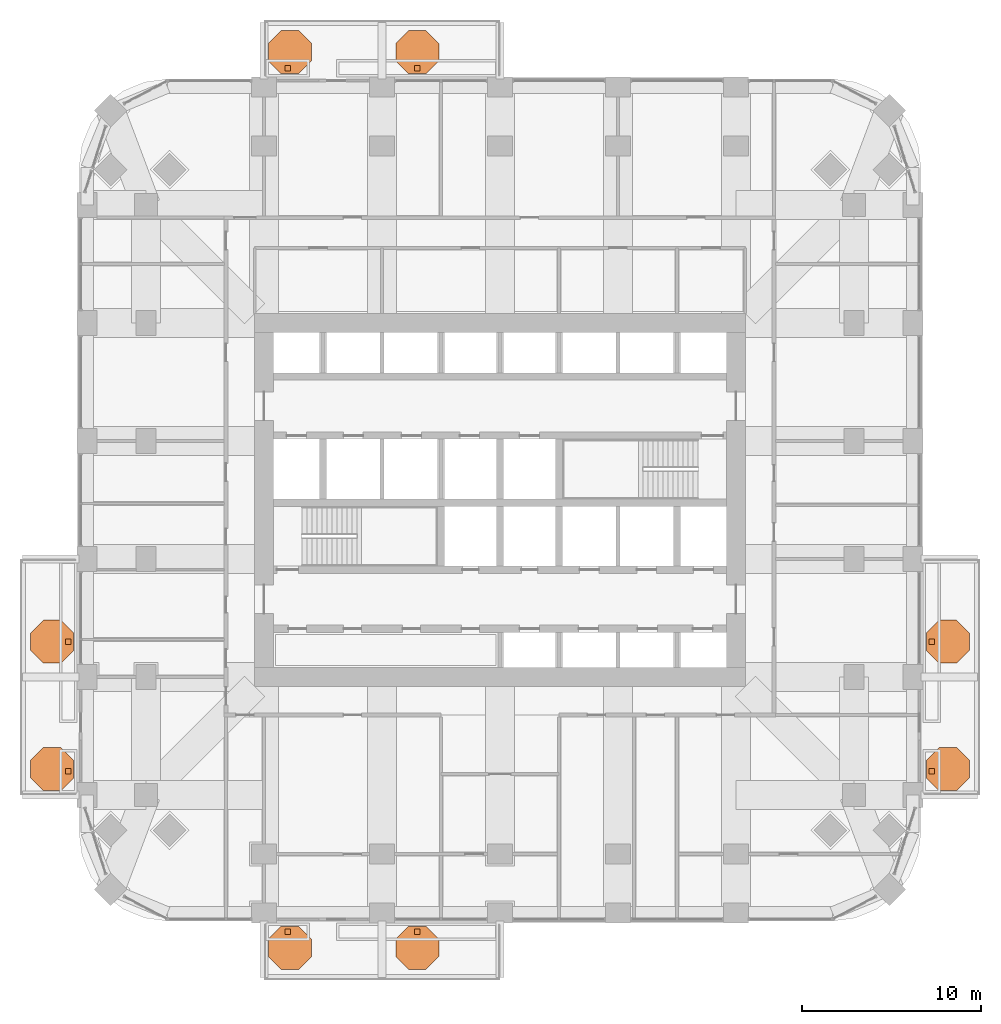
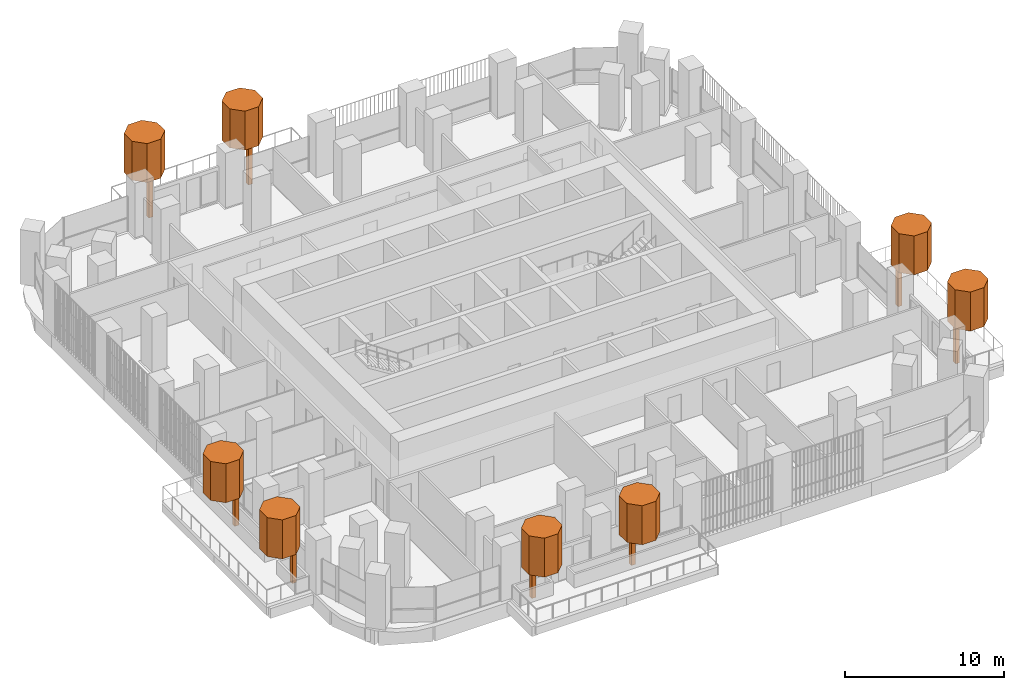
# One storey, part 21 of 21: 16 geographic elements.
"""IFC4 building model written with IfcOpenShell, lengths in metres."""

from ifc_helpers import new_model, si_unit, direction, frame, origin, origin_2d, place, context, subcontext, project, spatial, polyline, rectangle, outline, extrude, material, type_object, element, save


model = new_model("IFC4")

# Units and contexts
model_context = context("Model", 3, precision=1e-05, world=origin(), true_north=direction((0.0, 1.0)))
body_context = subcontext(model_context, "Body", "Model", "MODEL_VIEW")
ifc_project = project(units=[si_unit("LENGTHUNIT", "METRE"), si_unit("AREAUNIT", "SQUARE_METRE"), si_unit("VOLUMEUNIT", "CUBIC_METRE"), si_unit("PLANEANGLEUNIT", "RADIAN"), si_unit("MASSUNIT", "GRAM", prefix="KILO")], contexts=[model_context])

# Site, building, storey
site_placement = place(None, origin())
site = spatial("IfcSite", under=ifc_project, at=site_placement, CompositionType="ELEMENT")
building_placement = place(site_placement, origin())
building = spatial("IfcBuilding", under=site, at=building_placement, Name="Cobogo Forest Laboratory Tower", CompositionType="ELEMENT")
storey_placement = place(building_placement, frame((0.0, 0.0, 132.60009765625)))
storey = spatial("IfcBuildingStorey", under=building, at=storey_placement, Name="L30", CompositionType="ELEMENT", Elevation=132.60009765625)

# Geographic elements
ifc_material = material(Name="Planting", Category="plant")
geographic_element_type_1 = type_object("IfcGeographicElementType", Name="Tree trunk 300", PredefinedType="USERDEFINED", material=ifc_material)
for number, where, z_axis, x_axis, name in (
    (1, (14.52490234375, -1.050048828125, 0.0), (0.0, 0.0, 1.0), (1.0, 0.0, 0.0), "Tree trunk BAL-S1-PL1 L30"),
    (2, (21.77490234375, -1.050048828125, 0.0), (0.0, 0.0, 1.0), (1.0, 0.0, 0.0), "Tree trunk BAL-S1-PL2 L30"),
    (3, (50.550048828125, 7.925048828125, 0.0), (0.0, 0.0, 1.0), (1.0, 0.0, 0.0), "Tree trunk BAL-E1-PL1 L30"),
    (4, (50.550048828125, 15.175048828125, 0.0), (0.0, 0.0, 1.0), (1.0, 0.0, 0.0), "Tree trunk BAL-E1-PL2 L30"),
    (5, (14.52490234375, 47.25, 0.0), (0.0, 0.0, 1.0), (1.0, 0.0, 0.0), "Tree trunk BAL-N1-PL1 L30"),
    (6, (21.77490234375, 47.25, 0.0), (0.0, 0.0, 1.0), (1.0, 0.0, 0.0), "Tree trunk BAL-N1-PL2 L30"),
    (7, (2.25, 7.925048828125, 0.0), (0.0, 0.0, 1.0), (1.0, 0.0, 0.0), "Tree trunk BAL-W1-PL1 L30"),
    (8, (2.25, 15.175048828125, 0.0), (0.0, 0.0, 1.0), (1.0, 0.0, 0.0), "Tree trunk BAL-W1-PL2 L30"),
):
    element("IfcGeographicElement", number, at=place(storey_placement, frame(where, z_axis=z_axis, x_axis=x_axis)), inside=storey, type_object=geographic_element_type_1, Name=name, ObjectType="TREE TRUNK", PredefinedType="USERDEFINED", context=body_context, shape_type="SweptSolid", body=[
        extrude(rectangle(XDim=0.300048828125, YDim=0.300048828125, at=origin_2d()), origin(), (0.0, 0.0, 1.0), 2.89990234375),
    ])
geographic_element_type_2 = type_object("IfcGeographicElementType", Name="Tree, holm oak 5 m", PredefinedType="USERDEFINED", material=ifc_material)
geographic_element_1_placement = place(storey_placement, frame((0.0, 0.0, 2.89990234375)))
element("IfcGeographicElement", 9, at=geographic_element_1_placement, inside=storey, type_object=geographic_element_type_2, Name="Holm tree BAL-S1-PL1 L30", ObjectType="TREE", PredefinedType="USERDEFINED", context=body_context, shape_type="SweptSolid", body=[
    extrude(outline(polyline([(15.85009765625, -2.447021484375), (15.85009765625, -1.452880859375), (15.14697265625, -0.75), (14.15283203125, -0.75), (13.449951171875, -1.452880859375), (13.449951171875, -2.447021484375), (14.15283203125, -3.14990234375), (15.14697265625, -3.14990234375), (15.85009765625, -2.447021484375)])), origin(), (0.0, 0.0, 1.0), 3.0),
])
geographic_element_2_placement = place(storey_placement, frame((0.0, 0.0, 2.89990234375)))
element("IfcGeographicElement", 10, at=geographic_element_2_placement, inside=storey, type_object=geographic_element_type_2, Name="Holm tree BAL-S1-PL2 L30", ObjectType="TREE", PredefinedType="USERDEFINED", context=body_context, shape_type="SweptSolid", body=[
    extrude(outline(polyline([(22.97509765625, -2.447021484375), (22.97509765625, -1.452880859375), (22.27197265625, -0.75), (21.27783203125, -0.75), (20.574951171875, -1.452880859375), (20.574951171875, -2.447021484375), (21.27783203125, -3.14990234375), (22.27197265625, -3.14990234375), (22.97509765625, -2.447021484375)])), origin(), (0.0, 0.0, 1.0), 3.0),
])
geographic_element_3_placement = place(storey_placement, frame((0.0, 0.0, 2.89990234375)))
element("IfcGeographicElement", 11, at=geographic_element_3_placement, inside=storey, type_object=geographic_element_type_2, Name="Holm tree BAL-E1-PL1 L30", ObjectType="TREE", PredefinedType="USERDEFINED", context=body_context, shape_type="SweptSolid", body=[
    extrude(outline(polyline([(52.64990234375, 7.552978515625), (52.64990234375, 8.547119140625), (51.947021484375, 9.25), (50.952880859375, 9.25), (50.25, 8.547119140625), (50.25, 7.552978515625), (50.952880859375, 6.85009765625), (51.947021484375, 6.85009765625), (52.64990234375, 7.552978515625)])), origin(), (0.0, 0.0, 1.0), 3.0),
])
geographic_element_4_placement = place(storey_placement, frame((0.0, 0.0, 2.89990234375)))
element("IfcGeographicElement", 12, at=geographic_element_4_placement, inside=storey, type_object=geographic_element_type_2, Name="Holm tree BAL-E1-PL2 L30", ObjectType="TREE", PredefinedType="USERDEFINED", context=body_context, shape_type="SweptSolid", body=[
    extrude(outline(polyline([(52.64990234375, 14.677978515625), (52.64990234375, 15.672119140625), (51.947021484375, 16.375), (50.952880859375, 16.375), (50.25, 15.672119140625), (50.25, 14.677978515625), (50.952880859375, 13.97509765625), (51.947021484375, 13.97509765625), (52.64990234375, 14.677978515625)])), origin(), (0.0, 0.0, 1.0), 3.0),
])
geographic_element_5_placement = place(storey_placement, frame((0.0, 0.0, 2.89990234375)))
element("IfcGeographicElement", 13, at=geographic_element_5_placement, inside=storey, type_object=geographic_element_type_2, Name="Holm tree BAL-N1-PL1 L30", ObjectType="TREE", PredefinedType="USERDEFINED", context=body_context, shape_type="SweptSolid", body=[
    extrude(outline(polyline([(15.85009765625, 47.65283203125), (15.85009765625, 48.64697265625), (15.14697265625, 49.35009765625), (14.15283203125, 49.35009765625), (13.449951171875, 48.64697265625), (13.449951171875, 47.65283203125), (14.15283203125, 46.949951171875), (15.14697265625, 46.949951171875), (15.85009765625, 47.65283203125)])), origin(), (0.0, 0.0, 1.0), 3.0),
])
geographic_element_6_placement = place(storey_placement, frame((0.0, 0.0, 2.89990234375)))
element("IfcGeographicElement", 14, at=geographic_element_6_placement, inside=storey, type_object=geographic_element_type_2, Name="Holm tree BAL-N1-PL2 L30", ObjectType="TREE", PredefinedType="USERDEFINED", context=body_context, shape_type="SweptSolid", body=[
    extrude(outline(polyline([(22.97509765625, 47.65283203125), (22.97509765625, 48.64697265625), (22.27197265625, 49.35009765625), (21.27783203125, 49.35009765625), (20.574951171875, 48.64697265625), (20.574951171875, 47.65283203125), (21.27783203125, 46.949951171875), (22.27197265625, 46.949951171875), (22.97509765625, 47.65283203125)])), origin(), (0.0, 0.0, 1.0), 3.0),
])
geographic_element_7_placement = place(storey_placement, frame((0.0, 0.0, 2.89990234375)))
element("IfcGeographicElement", 15, at=geographic_element_7_placement, inside=storey, type_object=geographic_element_type_2, Name="Holm tree BAL-W1-PL1 L30", ObjectType="TREE", PredefinedType="USERDEFINED", context=body_context, shape_type="SweptSolid", body=[
    extrude(outline(polyline([(2.550048828125, 7.552978515625), (2.550048828125, 8.547119140625), (1.84716796875, 9.25), (0.85302734375, 9.25), (0.14990234375, 8.547119140625), (0.14990234375, 7.552978515625), (0.85302734375, 6.85009765625), (1.84716796875, 6.85009765625), (2.550048828125, 7.552978515625)])), origin(), (0.0, 0.0, 1.0), 3.0),
])
geographic_element_8_placement = place(storey_placement, frame((0.0, 0.0, 2.89990234375)))
element("IfcGeographicElement", 16, at=geographic_element_8_placement, inside=storey, type_object=geographic_element_type_2, Name="Holm tree BAL-W1-PL2 L30", ObjectType="TREE", PredefinedType="USERDEFINED", context=body_context, shape_type="SweptSolid", body=[
    extrude(outline(polyline([(2.550048828125, 14.677978515625), (2.550048828125, 15.672119140625), (1.84716796875, 16.375), (0.85302734375, 16.375), (0.14990234375, 15.672119140625), (0.14990234375, 14.677978515625), (0.85302734375, 13.97509765625), (1.84716796875, 13.97509765625), (2.550048828125, 14.677978515625)])), origin(), (0.0, 0.0, 1.0), 3.0),
])

save(model, "model.ifc")
